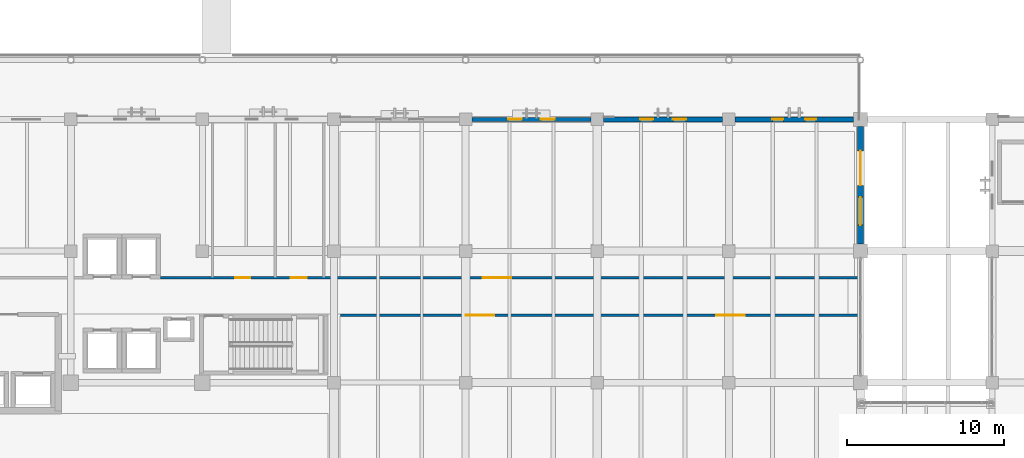
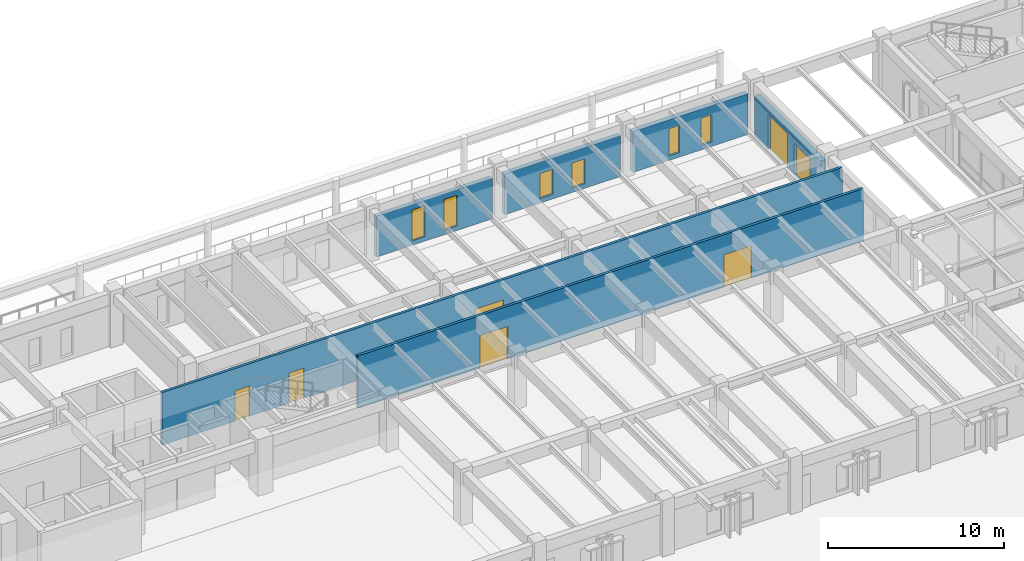
# One storey, part 94 of 135: 7 doors, 6 walls, 6 windows, 13 openings.
"""IFC4 building model written with IfcOpenShell, lengths in metres."""

from ifc_helpers import new_model, si_unit, direction, frame, frame_2d, origin, place, context, subcontext, project, spatial, rectangle, extrude, material, layer, layer_set, type_object, element, fill, save


model = new_model("IFC4")

# Units and contexts
model_context = context("Model", 3, precision=1e-05, world=origin(), true_north=direction((0.0, 1.0)))
body_context = subcontext(model_context, "Body", "Model", "MODEL_VIEW")
ifc_project = project(units=[si_unit("LENGTHUNIT", "METRE"), si_unit("AREAUNIT", "SQUARE_METRE"), si_unit("VOLUMEUNIT", "CUBIC_METRE"), si_unit("PLANEANGLEUNIT", "RADIAN"), si_unit("MASSUNIT", "GRAM", prefix="KILO")], contexts=[model_context])

# Site, building, storey
site_placement = place(None, origin())
site = spatial("IfcSite", under=ifc_project, at=site_placement, CompositionType="ELEMENT")
building_placement = place(site_placement, origin())
building = spatial("IfcBuilding", under=site, at=building_placement, Name="Cumbredor Promenade Congress Hotel", CompositionType="ELEMENT")
storey_placement = place(building_placement, origin())
storey = spatial("IfcBuildingStorey", under=building, at=storey_placement, Name="L00", CompositionType="ELEMENT", Elevation=0.0)

# Wall, openings, doors
ifc_material_1 = material(Name="Fire-rated hotel corridor wall")
ifc_layer_1 = layer(ifc_material_1, 0.179931640625, Name="Fire-rated hotel corridor wall")
ifc_layer_set_1 = layer_set([ifc_layer_1], Name="Fire-rated hotel corridor wall")
wall_type_1 = type_object("IfcWallType", Name="WL-CORR-180", PredefinedType="PARTITIONING", material=ifc_layer_set_1)
wall_1_placement = place(storey_placement, frame((39.330078125, 107.5, 0.0), z_axis=(0.0, 0.0, 1.0), x_axis=(1.0, 0.0, 0.0)))
wall_1 = element("IfcWall", 1, at=wall_1_placement, inside=storey, type_object=wall_type_1, Name="L00 Interior Partition W-L00-V5-NB", PredefinedType="PARTITIONING", context=body_context, shape_type="SweptSolid", body=[
    extrude(rectangle(XDim=44.619873046875, YDim=0.179931640625, at=frame_2d((22.31005859375, 0.0))), origin(), (0.0, 0.0, 1.0), 3.639892578125),
])
opening_1_placement = place(wall_1_placement, frame((4.77001953125, 0.0, 0.0)))
opening_1 = element("IfcOpeningElement", 2, at=opening_1_placement, cuts=wall_1, Name="Opening ID-02", PredefinedType="OPENING", context=body_context, shape_type="SweptSolid", body=[
    extrude(rectangle(XDim=0.949951171875, YDim=2.10009765625, at=frame_2d((0.47509765625, 1.050048828125))), frame((0.0, 0.10009765625, 0.0), z_axis=(0.0, -1.0, 0.0), x_axis=(1.0, 0.0, 0.0)), (0.0, 0.0, 1.0), 0.199951171875),
])
opening_2_placement = place(wall_1_placement, frame((8.320068359375, 0.0, 0.0)))
opening_2 = element("IfcOpeningElement", 3, at=opening_2_placement, cuts=wall_1, Name="Opening ID-03", PredefinedType="OPENING", context=body_context, shape_type="SweptSolid", body=[
    extrude(rectangle(XDim=1.0, YDim=2.10009765625, at=frame_2d((0.5, 1.050048828125))), frame((0.0, 0.10009765625, 0.0), z_axis=(0.0, -1.0, 0.0), x_axis=(1.0, 0.0, 0.0)), (0.0, 0.0, 1.0), 0.199951171875),
])
opening_3_placement = place(wall_1_placement, frame((20.570068359375, 0.0, 0.0)))
opening_3 = element("IfcOpeningElement", 4, at=opening_3_placement, cuts=wall_1, Name="Opening FD-10", PredefinedType="OPENING", context=body_context, shape_type="SweptSolid", body=[
    extrude(rectangle(XDim=1.820068359375, YDim=2.25, at=frame_2d((0.91015625, 1.125))), frame((0.0, 0.10009765625, 0.0), z_axis=(0.0, -1.0, 0.0), x_axis=(1.0, 0.0, 0.0)), (0.0, 0.0, 1.0), 0.199951171875),
])
ifc_material_2 = material(Name="Kiln-dried tropical hardwood", Category="wood")
door_type_1 = type_object("IfcDoorType", Name="DR-ACC-1000", OperationType="NOTDEFINED", PredefinedType="DOOR", material=ifc_material_2)
door_1_placement = place(opening_2_placement, origin())
door_1 = element("IfcDoor", 5, at=door_1_placement, inside=storey, type_object=door_type_1, Name="L00 Interior Door W-L00-V5-NB-02", OperationType="SINGLE_SWING_RIGHT", OverallHeight=2.10009765625, OverallWidth=1.0, PredefinedType="DOOR", context=body_context, shape_type="SweptSolid", body=[
    extrude(rectangle(XDim=1.0, YDim=2.10009765625, at=frame_2d((0.5, 1.050048828125))), frame((0.0, 0.02490234375, 0.0), z_axis=(0.0, -1.0, 0.0), x_axis=(1.0, 0.0, 0.0)), (0.0, 0.0, 1.0), 0.050048828125),
])
fill(opening_2, door_1)
ifc_material_3 = material(Name="Solid-core fire-rated tropical hardwood", Category="wood")
door_type_2 = type_object("IfcDoorType", Name="DR-DBL-FD60-1800", OperationType="DOUBLE_DOOR_SINGLE_SWING", PredefinedType="DOOR", material=ifc_material_3)
door_2_placement = place(opening_3_placement, origin())
door_2 = element("IfcDoor", 6, at=door_2_placement, inside=storey, type_object=door_type_2, Name="L00 Interior Door W-L00-V5-NB-03", OperationType="DOUBLE_DOOR_SINGLE_SWING", OverallHeight=2.25, OverallWidth=1.820068359375, PredefinedType="DOOR", context=body_context, shape_type="SweptSolid", body=[
    extrude(rectangle(XDim=1.820068359375, YDim=2.25, at=frame_2d((0.91015625, 1.125))), frame((0.0, 0.02490234375, 0.0), z_axis=(0.0, -1.0, 0.0), x_axis=(1.0, 0.0, 0.0)), (0.0, 0.0, 1.0), 0.050048828125),
])
fill(opening_3, door_2)
door_type_3 = type_object("IfcDoorType", Name="DR-INT-950", OperationType="NOTDEFINED", PredefinedType="DOOR", material=ifc_material_2)
door_3_placement = place(opening_1_placement, origin())
door_3 = element("IfcDoor", 7, at=door_3_placement, inside=storey, type_object=door_type_3, Name="L00 Interior Door W-L00-V5-NB-01", OperationType="SINGLE_SWING_LEFT", OverallHeight=2.10009765625, OverallWidth=0.949951171875, PredefinedType="DOOR", context=body_context, shape_type="SweptSolid", body=[
    extrude(rectangle(XDim=0.949951171875, YDim=2.10009765625, at=frame_2d((0.47509765625, 1.050048828125))), frame((0.0, 0.02490234375, 0.0), z_axis=(0.0, -1.0, 0.0), x_axis=(1.0, 0.0, 0.0)), (0.0, 0.0, 1.0), 0.050048828125),
])
fill(opening_1, door_3)

wall_2_placement = place(storey_placement, frame((50.800048828125, 105.10009765625, 0.0), z_axis=(0.0, 0.0, 1.0), x_axis=(1.0, 0.0, 0.0)))
wall_2 = element("IfcWall", 8, at=wall_2_placement, inside=storey, type_object=wall_type_1, Name="L00 Interior Partition W-L00-V5-S", PredefinedType="PARTITIONING", context=body_context, shape_type="SweptSolid", body=[
    extrude(rectangle(XDim=33.14990234375, YDim=0.179931640625, at=frame_2d((16.574951171875, 0.0))), origin(), (0.0, 0.0, 1.0), 3.639892578125),
])
opening_4_placement = place(wall_2_placement, frame((8.0, 0.0, 0.0)))
opening_4 = element("IfcOpeningElement", 9, at=opening_4_placement, cuts=wall_2, Name="Opening FD-10", PredefinedType="OPENING", context=body_context, shape_type="SweptSolid", body=[
    extrude(rectangle(XDim=1.820068359375, YDim=2.25, at=frame_2d((0.91015625, 1.125))), frame((0.0, 0.10009765625, 0.0), z_axis=(0.0, -1.0, 0.0), x_axis=(1.0, 0.0, 0.0)), (0.0, 0.0, 1.0), 0.199951171875),
])
opening_5_placement = place(wall_2_placement, frame((24.0, 0.0, 0.0)))
opening_5 = element("IfcOpeningElement", 10, at=opening_5_placement, cuts=wall_2, Name="Opening FD-10", PredefinedType="OPENING", context=body_context, shape_type="SweptSolid", body=[
    extrude(rectangle(XDim=1.820068359375, YDim=2.25, at=frame_2d((0.91015625, 1.125))), frame((0.0, 0.10009765625, 0.0), z_axis=(0.0, -1.0, 0.0), x_axis=(1.0, 0.0, 0.0)), (0.0, 0.0, 1.0), 0.199951171875),
])
door_4_placement = place(opening_4_placement, origin())
door_4 = element("IfcDoor", 11, at=door_4_placement, inside=storey, type_object=door_type_2, Name="L00 Interior Door W-L00-V5-S-01", OperationType="DOUBLE_DOOR_SINGLE_SWING", OverallHeight=2.25, OverallWidth=1.820068359375, PredefinedType="DOOR", context=body_context, shape_type="SweptSolid", body=[
    extrude(rectangle(XDim=1.820068359375, YDim=2.25, at=frame_2d((0.91015625, 1.125))), frame((0.0, 0.02490234375, 0.0), z_axis=(0.0, -1.0, 0.0), x_axis=(1.0, 0.0, 0.0)), (0.0, 0.0, 1.0), 0.050048828125),
])
fill(opening_4, door_4)
door_5_placement = place(opening_5_placement, origin())
door_5 = element("IfcDoor", 12, at=door_5_placement, inside=storey, type_object=door_type_2, Name="L00 Interior Door W-L00-V5-S-02", OperationType="DOUBLE_DOOR_SINGLE_SWING", OverallHeight=2.25, OverallWidth=1.820068359375, PredefinedType="DOOR", context=body_context, shape_type="SweptSolid", body=[
    extrude(rectangle(XDim=1.820068359375, YDim=2.25, at=frame_2d((0.91015625, 1.125))), frame((0.0, 0.02490234375, 0.0), z_axis=(0.0, -1.0, 0.0), x_axis=(1.0, 0.0, 0.0)), (0.0, 0.0, 1.0), 0.050048828125),
])
fill(opening_5, door_5)

# Wall, openings, windows
ifc_material_4 = material(Name="Concrete C40/50", Category="concrete")
ifc_layer_2 = layer(ifc_material_4, 0.280029296875, Name="Concrete C40/50", Category="concrete")
ifc_layer_set_2 = layer_set([ifc_layer_2], Name="Concrete C40/50")
wall_type_2 = type_object("IfcWallType", Name="WL-EXT-280", PredefinedType="SOLIDWALL", material=ifc_layer_set_2)
wall_3_placement = place(storey_placement, frame((59.200927734375, 117.60009765625, 0.0), z_axis=(0.0, 0.0, 1.0), x_axis=(1.0, 0.0, 0.0)))
wall_3 = element("IfcWall", 13, at=wall_3_placement, inside=storey, type_object=wall_type_2, Name="L00 Stepped Congress Hotel Wing North Envelope Wall 8", PredefinedType="SOLIDWALL", context=body_context, shape_type="SweptSolid", body=[
    extrude(rectangle(XDim=7.59814453125, YDim=0.280029296875, at=frame_2d((3.799072265625, 0.0))), origin(), (0.0, 0.0, 1.0), 2.824951171875),
])
opening_6_placement = place(wall_3_placement, frame((2.30908203125, 0.0, 0.300048828125)))
opening_6 = element("IfcOpeningElement", 14, at=opening_6_placement, cuts=wall_3, Name="Opening WN-59", PredefinedType="OPENING", context=body_context, shape_type="SweptSolid", body=[
    extrude(rectangle(XDim=0.8798828125, YDim=2.14990234375, at=frame_2d((0.43994140625, 1.074951171875))), frame((0.0, 0.14990234375, 0.0), z_axis=(0.0, -1.0, 0.0), x_axis=(1.0, 0.0, 0.0)), (0.0, 0.0, 1.0), 0.300048828125),
])
opening_7_placement = place(wall_3_placement, frame((4.408935546875, 0.0, 0.300048828125)))
opening_7 = element("IfcOpeningElement", 15, at=opening_7_placement, cuts=wall_3, Name="Opening WN-59", PredefinedType="OPENING", context=body_context, shape_type="SweptSolid", body=[
    extrude(rectangle(XDim=0.8798828125, YDim=2.14990234375, at=frame_2d((0.43994140625, 1.074951171875))), frame((0.0, 0.14990234375, 0.0), z_axis=(0.0, -1.0, 0.0), x_axis=(1.0, 0.0, 0.0)), (0.0, 0.0, 1.0), 0.300048828125),
])
ifc_material_5 = material(Name="Thermally broken anodized aluminium and low-E glass", Category="aluminium")
window_type_1 = type_object("IfcWindowType", Name="Vertical Slot Window WN-59 880x2150", PartitioningType="SINGLE_PANEL", PredefinedType="WINDOW", material=ifc_material_5)
window_1_placement = place(opening_6_placement, origin())
window_1 = element("IfcWindow", 16, at=window_1_placement, inside=storey, type_object=window_type_1, Name="L00 Vertical Slot Window 0083", OverallHeight=2.14990234375, OverallWidth=0.8798828125, PartitioningType="SINGLE_PANEL", PredefinedType="WINDOW", context=body_context, shape_type="SweptSolid", body=[
    extrude(rectangle(XDim=0.8798828125, YDim=2.14990234375, at=frame_2d((0.43994140625, 1.074951171875))), frame((0.0, 0.030029296875, 0.0), z_axis=(0.0, -1.0, 0.0), x_axis=(1.0, 0.0, 0.0)), (0.0, 0.0, 1.0), 0.06005859375),
])
fill(opening_6, window_1)
window_2_placement = place(opening_7_placement, origin())
window_2 = element("IfcWindow", 17, at=window_2_placement, inside=storey, type_object=window_type_1, Name="L00 Vertical Slot Window 0084", OverallHeight=2.14990234375, OverallWidth=0.8798828125, PartitioningType="SINGLE_PANEL", PredefinedType="WINDOW", context=body_context, shape_type="SweptSolid", body=[
    extrude(rectangle(XDim=0.8798828125, YDim=2.14990234375, at=frame_2d((0.43994140625, 1.074951171875))), frame((0.0, 0.030029296875, 0.0), z_axis=(0.0, -1.0, 0.0), x_axis=(1.0, 0.0, 0.0)), (0.0, 0.0, 1.0), 0.06005859375),
])
fill(opening_7, window_2)

ifc_layer_3 = layer(ifc_material_4, 0.300048828125, Name="Concrete C40/50", Category="concrete")
ifc_layer_set_3 = layer_set([ifc_layer_3], Name="Concrete C40/50")
wall_type_3 = type_object("IfcWallType", Name="WL-EXT-300", PredefinedType="SOLIDWALL", material=ifc_layer_set_3)
wall_4_placement = place(storey_placement, frame((67.60107421875, 117.60009765625, 0.0), z_axis=(0.0, 0.0, 1.0), x_axis=(1.0, 0.0, 0.0)))
wall_4 = element("IfcWall", 18, at=wall_4_placement, inside=storey, type_object=wall_type_3, Name="L00 Stepped Congress Hotel Wing North Envelope Wall 9", PredefinedType="SOLIDWALL", context=body_context, shape_type="SweptSolid", body=[
    extrude(rectangle(XDim=7.597900390625, YDim=0.300048828125, at=frame_2d((3.798828125, 0.0))), origin(), (0.0, 0.0, 1.0), 2.824951171875),
])
opening_8_placement = place(wall_4_placement, frame((2.3291015625, 0.0, 0.300048828125)))
opening_8 = element("IfcOpeningElement", 19, at=opening_8_placement, cuts=wall_4, Name="Opening WN-62", PredefinedType="OPENING", context=body_context, shape_type="SweptSolid", body=[
    extrude(rectangle(XDim=0.840087890625, YDim=1.75, at=frame_2d((0.419921875, 0.875))), frame((0.0, 0.16015625, 0.0), z_axis=(0.0, -1.0, 0.0), x_axis=(1.0, 0.0, 0.0)), (0.0, 0.0, 1.0), 0.320068359375),
])
opening_9_placement = place(wall_4_placement, frame((4.428955078125, 0.0, 0.300048828125)))
opening_9 = element("IfcOpeningElement", 20, at=opening_9_placement, cuts=wall_4, Name="Opening WN-62", PredefinedType="OPENING", context=body_context, shape_type="SweptSolid", body=[
    extrude(rectangle(XDim=0.840087890625, YDim=1.75, at=frame_2d((0.419921875, 0.875))), frame((0.0, 0.16015625, 0.0), z_axis=(0.0, -1.0, 0.0), x_axis=(1.0, 0.0, 0.0)), (0.0, 0.0, 1.0), 0.320068359375),
])
window_type_2 = type_object("IfcWindowType", Name="Vertical Slot Window WN-62 840x1750", PartitioningType="SINGLE_PANEL", PredefinedType="WINDOW", material=ifc_material_5)
window_3_placement = place(opening_8_placement, origin())
window_3 = element("IfcWindow", 21, at=window_3_placement, inside=storey, type_object=window_type_2, Name="L00 Vertical Slot Window 0085", OverallHeight=1.75, OverallWidth=0.840087890625, PartitioningType="SINGLE_PANEL", PredefinedType="WINDOW", context=body_context, shape_type="SweptSolid", body=[
    extrude(rectangle(XDim=0.840087890625, YDim=1.75, at=frame_2d((0.419921875, 0.875))), frame((0.0, 0.030029296875, 0.0), z_axis=(0.0, -1.0, 0.0), x_axis=(1.0, 0.0, 0.0)), (0.0, 0.0, 1.0), 0.06005859375),
])
fill(opening_8, window_3)
window_4_placement = place(opening_9_placement, origin())
window_4 = element("IfcWindow", 22, at=window_4_placement, inside=storey, type_object=window_type_2, Name="L00 Vertical Slot Window 0086", OverallHeight=1.75, OverallWidth=0.840087890625, PartitioningType="SINGLE_PANEL", PredefinedType="WINDOW", context=body_context, shape_type="SweptSolid", body=[
    extrude(rectangle(XDim=0.840087890625, YDim=1.75, at=frame_2d((0.419921875, 0.875))), frame((0.0, 0.030029296875, 0.0), z_axis=(0.0, -1.0, 0.0), x_axis=(1.0, 0.0, 0.0)), (0.0, 0.0, 1.0), 0.06005859375),
])
fill(opening_9, window_4)

ifc_layer_4 = layer(ifc_material_4, 0.324951171875, Name="Concrete C40/50", Category="concrete")
ifc_layer_set_4 = layer_set([ifc_layer_4], Name="Concrete C40/50")
wall_type_4 = type_object("IfcWallType", Name="WL-EXT-325", PredefinedType="SOLIDWALL", material=ifc_layer_set_4)
wall_5_placement = place(storey_placement, frame((76.0009765625, 117.60009765625, 0.0), z_axis=(0.0, 0.0, 1.0), x_axis=(1.0, 0.0, 0.0)))
wall_5 = element("IfcWall", 23, at=wall_5_placement, inside=storey, type_object=wall_type_4, Name="L00 Stepped Congress Hotel Wing North Envelope Wall 10", PredefinedType="SOLIDWALL", context=body_context, shape_type="SweptSolid", body=[
    extrude(rectangle(XDim=7.548095703125, YDim=0.324951171875, at=frame_2d((3.77392578125, 0.0))), origin(), (0.0, 0.0, 1.0), 2.824951171875),
])
opening_10_placement = place(wall_5_placement, frame((2.3740234375, 0.0, 0.300048828125)))
opening_10 = element("IfcOpeningElement", 24, at=opening_10_placement, cuts=wall_5, Name="Opening WN-65", PredefinedType="OPENING", context=body_context, shape_type="SweptSolid", body=[
    extrude(rectangle(XDim=0.699951171875, YDim=1.89990234375, at=frame_2d((0.35009765625, 0.949951171875))), frame((0.0, 0.17236328125, 0.0), z_axis=(0.0, -1.0, 0.0), x_axis=(1.0, 0.0, 0.0)), (0.0, 0.0, 1.0), 0.344970703125),
])
opening_11_placement = place(wall_5_placement, frame((4.47412109375, 0.0, 0.300048828125)))
opening_11 = element("IfcOpeningElement", 25, at=opening_11_placement, cuts=wall_5, Name="Opening WN-65", PredefinedType="OPENING", context=body_context, shape_type="SweptSolid", body=[
    extrude(rectangle(XDim=0.699951171875, YDim=1.89990234375, at=frame_2d((0.35009765625, 0.949951171875))), frame((0.0, 0.17236328125, 0.0), z_axis=(0.0, -1.0, 0.0), x_axis=(1.0, 0.0, 0.0)), (0.0, 0.0, 1.0), 0.344970703125),
])
window_type_3 = type_object("IfcWindowType", Name="Vertical Slot Window WN-65 700x1900", PartitioningType="SINGLE_PANEL", PredefinedType="WINDOW", material=ifc_material_5)
window_5_placement = place(opening_10_placement, origin())
window_5 = element("IfcWindow", 26, at=window_5_placement, inside=storey, type_object=window_type_3, Name="L00 Vertical Slot Window 0087", OverallHeight=1.89990234375, OverallWidth=0.699951171875, PartitioningType="SINGLE_PANEL", PredefinedType="WINDOW", context=body_context, shape_type="SweptSolid", body=[
    extrude(rectangle(XDim=0.699951171875, YDim=1.89990234375, at=frame_2d((0.35009765625, 0.949951171875))), frame((0.0, 0.030029296875, 0.0), z_axis=(0.0, -1.0, 0.0), x_axis=(1.0, 0.0, 0.0)), (0.0, 0.0, 1.0), 0.06005859375),
])
fill(opening_10, window_5)
window_6_placement = place(opening_11_placement, origin())
window_6 = element("IfcWindow", 27, at=window_6_placement, inside=storey, type_object=window_type_3, Name="L00 Vertical Slot Window 0088", OverallHeight=1.89990234375, OverallWidth=0.699951171875, PartitioningType="SINGLE_PANEL", PredefinedType="WINDOW", context=body_context, shape_type="SweptSolid", body=[
    extrude(rectangle(XDim=0.699951171875, YDim=1.89990234375, at=frame_2d((0.35009765625, 0.949951171875))), frame((0.0, 0.030029296875, 0.0), z_axis=(0.0, -1.0, 0.0), x_axis=(1.0, 0.0, 0.0)), (0.0, 0.0, 1.0), 0.06005859375),
])
fill(opening_11, window_6)

# Wall, openings, doors
ifc_layer_5 = layer(ifc_material_4, 0.3798828125, Name="Concrete C40/50", Category="concrete")
ifc_layer_set_5 = layer_set([ifc_layer_5], Name="Concrete C40/50")
wall_type_5 = type_object("IfcWallType", Name="WL-EXT-380", PredefinedType="SOLIDWALL", material=ifc_layer_set_5)
wall_6_placement = place(storey_placement, frame((84.0, 109.65087890625, 0.0), z_axis=(0.0, 0.0, 1.0), x_axis=(0.0, 1.0, 0.0)))
wall_6 = element("IfcWall", 28, at=wall_6_placement, inside=storey, type_object=wall_type_5, Name="L00 Stepped Congress Hotel Wing East Envelope Wall 4", PredefinedType="SOLIDWALL", context=body_context, shape_type="SweptSolid", body=[
    extrude(rectangle(XDim=7.498046875, YDim=0.3798828125, at=frame_2d((3.7490234375, 0.0))), origin(), (0.0, 0.0, 1.0), 2.77490234375),
])
opening_12_placement = place(wall_6_placement, frame((1.198974609375, 0.0, 0.0)))
opening_12 = element("IfcOpeningElement", 29, at=opening_12_placement, cuts=wall_6, Name="Opening EX-01", PredefinedType="OPENING", context=body_context, shape_type="SweptSolid", body=[
    extrude(rectangle(XDim=1.800048828125, YDim=2.199951171875, at=frame_2d((0.89990234375, 1.10009765625))), frame((0.0, 0.199951171875, 0.0), z_axis=(0.0, -1.0, 0.0), x_axis=(1.0, 0.0, 0.0)), (0.0, 0.0, 1.0), 0.39990234375),
])
opening_13_placement = place(wall_6_placement, frame((3.748046875, 0.0, 0.0)))
opening_13 = element("IfcOpeningElement", 30, at=opening_13_placement, cuts=wall_6, Name="Opening EX-04", PredefinedType="OPENING", context=body_context, shape_type="SweptSolid", body=[
    extrude(rectangle(XDim=2.199951171875, YDim=2.39990234375, at=frame_2d((1.10009765625, 1.199951171875))), frame((0.0, 0.199951171875, 0.0), z_axis=(0.0, -1.0, 0.0), x_axis=(1.0, 0.0, 0.0)), (0.0, 0.0, 1.0), 0.39990234375),
])
ifc_material_6 = material(Name="Thermally broken anodized aluminium and laminated safety glass", Category="aluminium")
door_type_4 = type_object("IfcDoorType", Name="EXT-DR-EXIT-1800x2200", OperationType="DOUBLE_DOOR_SINGLE_SWING", PredefinedType="DOOR", material=ifc_material_6)
door_6_placement = place(opening_12_placement, frame((1.800048828125, 0.0, 0.0), z_axis=(0.0, 0.0, 1.0), x_axis=(-1.0, 0.0, 0.0)))
door_6 = element("IfcDoor", 31, at=door_6_placement, inside=storey, type_object=door_type_4, Name="L00 Stepped Congress Hotel Wing East Final Exit Door 30.1", OperationType="DOUBLE_DOOR_SINGLE_SWING", OverallHeight=2.199951171875, OverallWidth=1.800048828125, PredefinedType="DOOR", context=body_context, shape_type="SweptSolid", body=[
    extrude(rectangle(XDim=1.800048828125, YDim=2.199951171875, at=frame_2d((0.89990234375, 1.10009765625))), frame((0.0, 0.02490234375, 0.0), z_axis=(0.0, -1.0, 0.0), x_axis=(1.0, 0.0, 0.0)), (0.0, 0.0, 1.0), 0.050048828125),
])
fill(opening_12, door_6)
door_type_5 = type_object("IfcDoorType", Name="EXT-DR-EXIT-2200x2400", OperationType="DOUBLE_DOOR_SINGLE_SWING", PredefinedType="DOOR", material=ifc_material_6)
door_7_placement = place(opening_13_placement, frame((2.199951171875, 0.0, 0.0), z_axis=(0.0, 0.0, 1.0), x_axis=(-1.0, 0.0, 0.0)))
door_7 = element("IfcDoor", 32, at=door_7_placement, inside=storey, type_object=door_type_5, Name="L00 Stepped Congress Hotel Wing East Final Exit Door 30.2", OperationType="DOUBLE_DOOR_SINGLE_SWING", OverallHeight=2.39990234375, OverallWidth=2.199951171875, PredefinedType="DOOR", context=body_context, shape_type="SweptSolid", body=[
    extrude(rectangle(XDim=2.199951171875, YDim=2.39990234375, at=frame_2d((1.10009765625, 1.199951171875))), frame((0.0, 0.02490234375, 0.0), z_axis=(0.0, -1.0, 0.0), x_axis=(1.0, 0.0, 0.0)), (0.0, 0.0, 1.0), 0.050048828125),
])
fill(opening_13, door_7)

save(model, "model.ifc")
